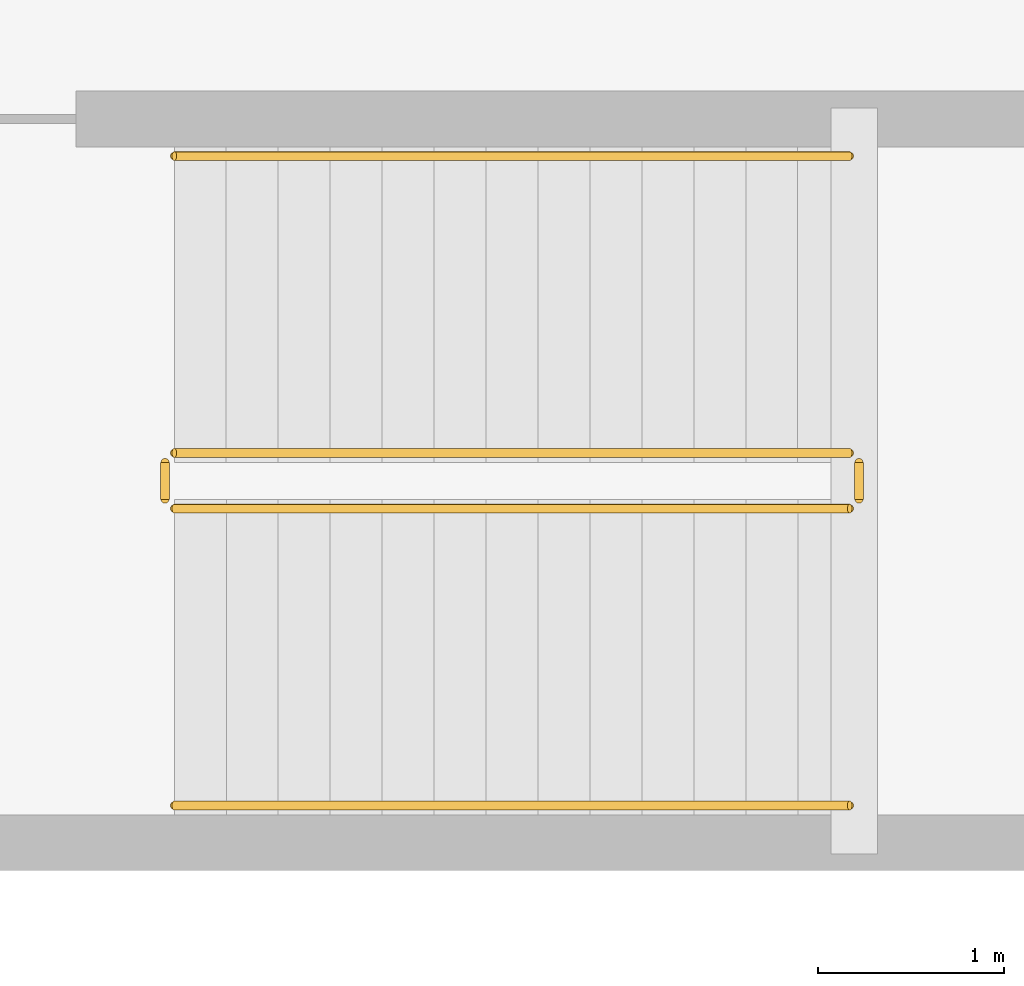
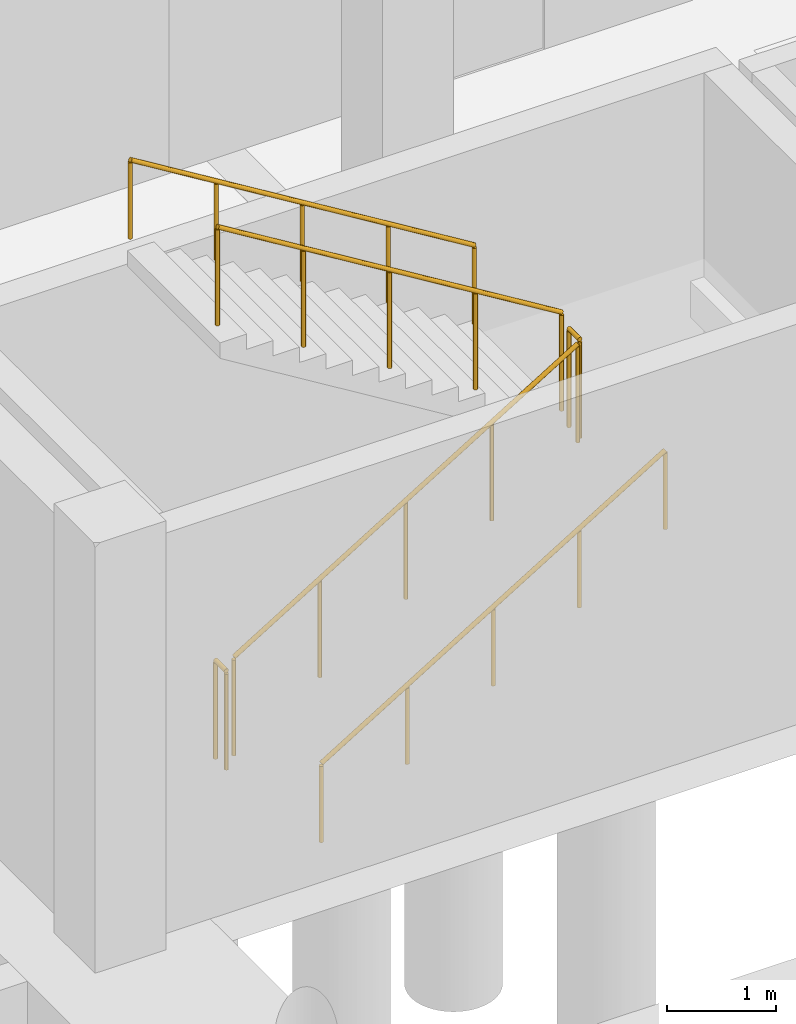
# One storey, part 31 of 35: 6 railings.
"""IFC4 building model written with IfcOpenShell, lengths in metres."""

from ifc_helpers import new_model, si_unit, direction, frame, origin, origin_2d, place, context, subcontext, project, spatial, circle, extrude, material, type_object, element, save


model = new_model("IFC4")

# Units and contexts
model_context = context("Model", 3, precision=1e-05, world=origin(), true_north=direction((0.0, 1.0)))
body_context = subcontext(model_context, "Body", "Model", "MODEL_VIEW")
ifc_project = project(units=[si_unit("LENGTHUNIT", "METRE"), si_unit("AREAUNIT", "SQUARE_METRE"), si_unit("VOLUMEUNIT", "CUBIC_METRE"), si_unit("PLANEANGLEUNIT", "RADIAN"), si_unit("MASSUNIT", "GRAM", prefix="KILO"), si_unit("THERMODYNAMICTEMPERATUREUNIT", "KELVIN"), si_unit("POWERUNIT", "WATT")], contexts=[model_context])

# Site, building, storey
site_placement = place(None, origin())
site = spatial("IfcSite", under=ifc_project, at=site_placement, CompositionType="ELEMENT")
building_placement = place(site_placement, origin())
building = spatial("IfcBuilding", under=site, at=building_placement, Name="Kaldorven Railside Theatre", CompositionType="ELEMENT")
storey_placement = place(building_placement, frame((0.0, 0.0, -4.800048828125)))
storey = spatial("IfcBuildingStorey", under=building, at=storey_placement, Name="B1", CompositionType="ELEMENT", Elevation=-4.800048828125)

# Railings
ifc_material = material(Name="Steel S355", Category="steel")
railing_type_1 = type_object("IfcRailingType", Name="RLG-STG-1100", PredefinedType="BALUSTRADE", material=ifc_material)
railing_1_placement = place(storey_placement, frame((60.75, 21.0, 0.17138671875)))
element("IfcRailing", 1, at=railing_1_placement, inside=storey, type_object=railing_type_1, Name="B1 ST-03 stair guard 1", PredefinedType="BALUSTRADE", context=body_context, shape_type="SweptSolid", body=[
    extrude(circle(Radius=0.02392578125, at=origin_2d()), frame((0.0, 0.0, 1.09619140625), z_axis=(0.852824790078, 0.0, 0.522197163366), x_axis=(0.0, 1.0, 0.0)), (0.0, 0.0, 1.0), 4.26806640625),
    extrude(circle(Radius=0.02099609375, at=origin_2d()), origin(), (0.0, 0.0, 1.0), 1.072021484375),
    extrude(circle(Radius=0.02099609375, at=origin_2d()), frame((0.909912109375, 0.0, 0.55712890625)), (0.0, 0.0, 1.0), 1.072021484375),
    extrude(circle(Radius=0.02099609375, at=origin_2d()), frame((1.81982421875, 0.0, 1.1142578125)), (0.0, 0.0, 1.0), 1.072021484375),
    extrude(circle(Radius=0.02099609375, at=origin_2d()), frame((2.72998046875, 0.0, 1.671630859375)), (0.0, 0.0, 1.0), 1.072021484375),
    extrude(circle(Radius=0.02099609375, at=origin_2d()), frame((3.639892578125, 0.0, 2.228759765625)), (0.0, 0.0, 1.0), 1.072021484375),
])
railing_2_placement = place(storey_placement, frame((64.43994140625, 21.050048828125, 2.400146484375)))
element("IfcRailing", 2, at=railing_2_placement, inside=storey, type_object=railing_type_1, Name="B1 ST-03 stair guard 2", PredefinedType="BALUSTRADE", context=body_context, shape_type="SweptSolid", body=[
    extrude(circle(Radius=0.02392578125, at=origin_2d()), frame((0.0, 0.0, 1.09619140625), z_axis=(0.0, 1.0, 0.0), x_axis=(-1.0, 0.0, 0.0)), (0.0, 0.0, 1.0), 0.199951171875),
    extrude(circle(Radius=0.02099609375, at=origin_2d()), origin(), (0.0, 0.0, 1.0), 1.072021484375),
    extrude(circle(Radius=0.02099609375, at=origin_2d()), frame((0.0, 0.199951171875, 0.0)), (0.0, 0.0, 1.0), 1.072021484375),
])
railing_3_placement = place(storey_placement, frame((64.389892578125, 21.300048828125, 2.571533203125)))
element("IfcRailing", 3, at=railing_3_placement, inside=storey, type_object=railing_type_1, Name="B1 ST-03 stair guard 3", PredefinedType="BALUSTRADE", context=body_context, shape_type="SweptSolid", body=[
    extrude(circle(Radius=0.02392578125, at=origin_2d()), frame((0.0, 0.0, 1.09619140625), z_axis=(-0.852850264322, 0.0, 0.5221555579), x_axis=(0.0, -1.0, 0.0)), (0.0, 0.0, 1.0), 4.267822265625),
    extrude(circle(Radius=0.02099609375, at=origin_2d()), origin(), (0.0, 0.0, 1.0), 1.072021484375),
    extrude(circle(Radius=0.02099609375, at=origin_2d()), frame((-0.909912109375, 0.0, 0.55712890625)), (0.0, 0.0, 1.0), 1.072021484375),
    extrude(circle(Radius=0.02099609375, at=origin_2d()), frame((-1.81982421875, 0.0, 1.1142578125)), (0.0, 0.0, 1.0), 1.072021484375),
    extrude(circle(Radius=0.02099609375, at=origin_2d()), frame((-2.72998046875, 0.0, 1.67138671875)), (0.0, 0.0, 1.0), 1.072021484375),
    extrude(circle(Radius=0.02099609375, at=origin_2d()), frame((-3.639892578125, 0.0, 2.228515625)), (0.0, 0.0, 1.0), 1.072021484375),
])
railing_4_placement = place(storey_placement, frame((60.699951171875, 21.050048828125, 0.0)))
element("IfcRailing", 4, at=railing_4_placement, inside=storey, type_object=railing_type_1, Name="B1 ST-03 stair guard 4", PredefinedType="BALUSTRADE", context=body_context, shape_type="SweptSolid", body=[
    extrude(circle(Radius=0.02392578125, at=origin_2d()), frame((0.0, 0.0, 1.09619140625), z_axis=(0.0, 1.0, 0.0), x_axis=(-1.0, 0.0, 0.0)), (0.0, 0.0, 1.0), 0.199951171875),
    extrude(circle(Radius=0.02099609375, at=origin_2d()), origin(), (0.0, 0.0, 1.0), 1.072021484375),
    extrude(circle(Radius=0.02099609375, at=origin_2d()), frame((0.0, 0.199951171875, 0.0)), (0.0, 0.0, 1.0), 1.072021484375),
])
railing_type_2 = type_object("IfcRailingType", Name="RLG-STH-900", PredefinedType="HANDRAIL", material=ifc_material)
railing_5_placement = place(storey_placement, frame((60.75, 19.39990234375, 0.17138671875)))
element("IfcRailing", 5, at=railing_5_placement, inside=storey, type_object=railing_type_2, Name="B1 ST-03 stair handrail 1", PredefinedType="HANDRAIL", context=body_context, shape_type="SweptSolid", body=[
    extrude(circle(Radius=0.02392578125, at=origin_2d()), frame((0.0, 0.0, 0.8759765625), z_axis=(0.852824790078, 0.0, 0.522197163366), x_axis=(0.0, 1.0, 0.0)), (0.0, 0.0, 1.0), 4.26806640625),
    extrude(circle(Radius=0.02099609375, at=origin_2d()), origin(), (0.0, 0.0, 1.0), 0.851806640625),
    extrude(circle(Radius=0.02099609375, at=origin_2d()), frame((0.909912109375, 0.0, 0.55712890625)), (0.0, 0.0, 1.0), 0.851806640625),
    extrude(circle(Radius=0.02099609375, at=origin_2d()), frame((1.81982421875, 0.0, 1.1142578125)), (0.0, 0.0, 1.0), 0.851806640625),
    extrude(circle(Radius=0.02099609375, at=origin_2d()), frame((2.72998046875, 0.0, 1.671630859375)), (0.0, 0.0, 1.0), 0.851806640625),
    extrude(circle(Radius=0.02099609375, at=origin_2d()), frame((3.639892578125, 0.0, 2.228759765625)), (0.0, 0.0, 1.0), 0.851806640625),
])
railing_6_placement = place(storey_placement, frame((64.389892578125, 22.89990234375, 2.571533203125)))
element("IfcRailing", 6, at=railing_6_placement, inside=storey, type_object=railing_type_2, Name="B1 ST-03 stair handrail 2", PredefinedType="HANDRAIL", context=body_context, shape_type="SweptSolid", body=[
    extrude(circle(Radius=0.02392578125, at=origin_2d()), frame((0.0, 0.0, 0.8759765625), z_axis=(-0.852850264322, 0.0, 0.5221555579), x_axis=(0.0, -1.0, 0.0)), (0.0, 0.0, 1.0), 4.267822265625),
    extrude(circle(Radius=0.02099609375, at=origin_2d()), origin(), (0.0, 0.0, 1.0), 0.851806640625),
    extrude(circle(Radius=0.02099609375, at=origin_2d()), frame((-0.909912109375, 0.0, 0.55712890625)), (0.0, 0.0, 1.0), 0.851806640625),
    extrude(circle(Radius=0.02099609375, at=origin_2d()), frame((-1.81982421875, 0.0, 1.1142578125)), (0.0, 0.0, 1.0), 0.851806640625),
    extrude(circle(Radius=0.02099609375, at=origin_2d()), frame((-2.72998046875, 0.0, 1.67138671875)), (0.0, 0.0, 1.0), 0.851806640625),
    extrude(circle(Radius=0.02099609375, at=origin_2d()), frame((-3.639892578125, 0.0, 2.228515625)), (0.0, 0.0, 1.0), 0.851806640625),
])

save(model, "model.ifc")
